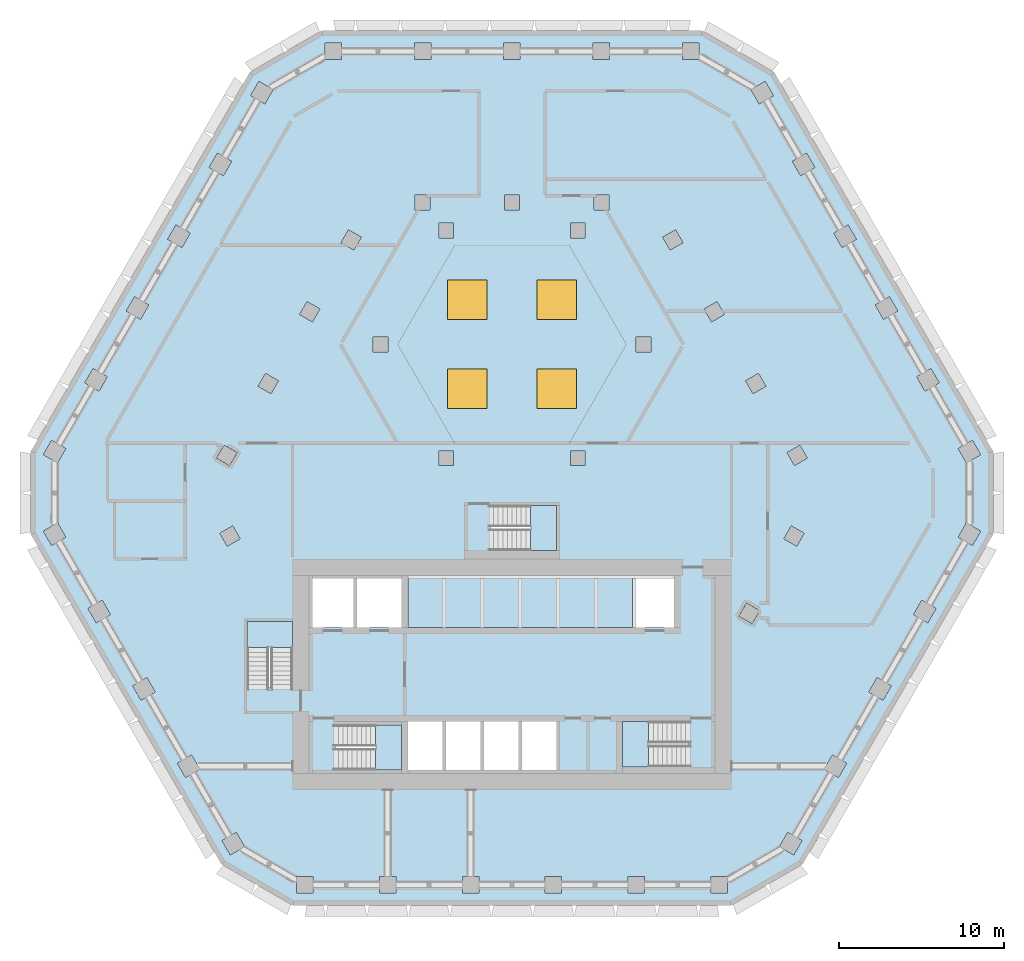
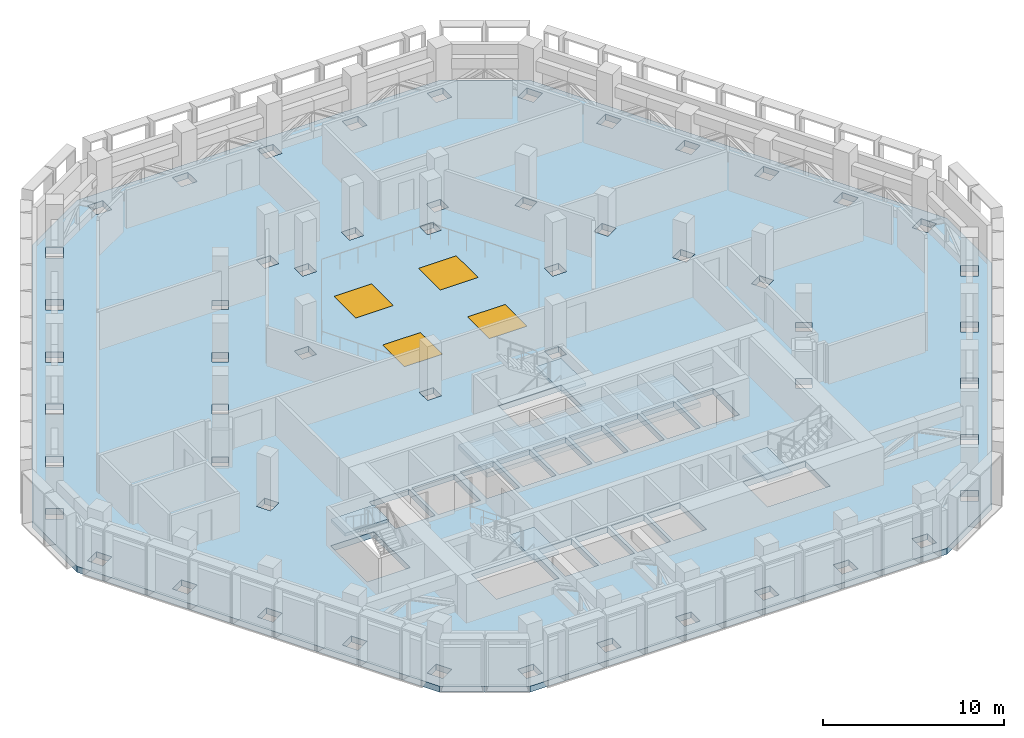
# One storey, part 11 of 23: 6 slabs, 4 windows, 4 openings, 4 elements without a shape of their own.
"""IFC4 building model written with IfcOpenShell, lengths in metres."""

from ifc_helpers import new_model, si_unit, direction, frame, origin, origin_2d, place, context, subcontext, project, spatial, polyline, rectangle, outline, extrude, material, layer, layer_set, type_object, element, fill, aggregate, save


model = new_model("IFC4")

# Units and contexts
model_context = context("Model", 3, precision=1e-05, world=origin(), true_north=direction((0.0, 1.0)))
body_context = subcontext(model_context, "Body", "Model", "MODEL_VIEW")
ifc_project = project(units=[si_unit("LENGTHUNIT", "METRE"), si_unit("AREAUNIT", "SQUARE_METRE"), si_unit("VOLUMEUNIT", "CUBIC_METRE"), si_unit("PLANEANGLEUNIT", "RADIAN"), si_unit("MASSUNIT", "GRAM", prefix="KILO")], contexts=[model_context])

# Site, building, storey
site_placement = place(None, origin())
site = spatial("IfcSite", under=ifc_project, at=site_placement, CompositionType="ELEMENT")
building_placement = place(site_placement, origin())
building = spatial("IfcBuilding", under=site, at=building_placement, Name="Beryl Residences", CompositionType="ELEMENT")
storey_placement = place(building_placement, frame((0.0, 0.0, 108.0)))
storey = spatial("IfcBuildingStorey", under=building, at=storey_placement, Name="L33", CompositionType="ELEMENT", Elevation=108.0)

# Slab
ifc_material_1 = material(Name="Concrete C40/50", Category="concrete")
ifc_layer_1 = layer(ifc_material_1, 0.300048828125)
ifc_layer_set_1 = layer_set([ifc_layer_1], Name="DK1 lift transfer deck 300 mm")
slab_type_1 = type_object("IfcSlabType", Name="DK1 lift transfer deck 300 mm", PredefinedType="FLOOR", material=ifc_layer_set_1)
slab_1_placement = place(storey_placement, frame((0.0, 0.0, 1.39990234375)))
element("IfcSlab", 1, at=slab_1_placement, inside=storey, type_object=slab_type_1, Name="Lift transfer deck", PredefinedType="FLOOR", context=body_context, shape_type="SweptSolid", body=[
    extrude(outline(polyline([(7.300048828125, -9.14990234375), (7.300048828125, -6.0), (-6.300048828125, -6.0), (-6.300048828125, -9.14990234375), (7.300048828125, -9.14990234375)])), origin(), (0.0, 0.0, 1.0), 0.300048828125),
])

# Slab, openings, windows
ifc_material_2 = material(Name="Concrete C40/50", Category="concrete")
ifc_layer_2 = layer(ifc_material_2, 0.39990234375)
ifc_layer_set_2 = layer_set([ifc_layer_2], Name="SL8 PT floor slab 400 mm C40/50")
slab_type_2 = type_object("IfcSlabType", Name="SL8 PT floor slab 400 mm C40/50", PredefinedType="FLOOR", material=ifc_layer_set_2)
slab_2_placement = place(storey_placement, frame((0.0, 0.0, -0.39990234375)))
slab_2 = element("IfcSlab", 2, at=slab_2_placement, inside=storey, type_object=slab_type_2, Name="L33 slab 1", PredefinedType="FLOOR", context=body_context, shape_type="SweptSolid", body=[
    extrude(outline(polyline([(29.156982421875, 1.5), (29.156982421875, -3.5), (17.60888671875, -23.5), (13.279052734375, -26.0), (-13.279052734375, -26.0), (-17.60888671875, -23.5), (-29.156982421875, -3.5), (-29.156982421875, 1.5), (-15.876953125, 24.5), (-11.547119140625, 27.0), (11.547119140625, 27.0), (15.876953125, 24.5), (29.156982421875, 1.5)]), holes=[polyline([(27.89697265625, -4.181884765625), (28.39697265625, -3.31591796875), (27.531005859375, -2.81591796875), (27.031005859375, -3.681884765625), (27.89697265625, -4.181884765625)]), polyline([(27.531005859375, 0.81591796875), (28.39697265625, 1.31591796875), (27.89697265625, 2.181884765625), (27.031005859375, 1.681884765625), (27.531005859375, 0.81591796875)]), polyline([(25.885009765625, 5.6669921875), (25.385009765625, 6.532958984375), (24.51904296875, 6.032958984375), (25.01904296875, 5.1669921875), (25.885009765625, 5.6669921875)]), polyline([(25.18994140625, -8.8701171875), (25.68994140625, -8.00390625), (24.823974609375, -7.50390625), (24.323974609375, -8.3701171875), (25.18994140625, -8.8701171875)]), polyline([(23.373046875, 10.01708984375), (22.873046875, 10.883056640625), (22.007080078125, 10.383056640625), (22.507080078125, 9.51708984375), (23.373046875, 10.01708984375)]), polyline([(22.98291015625, -12.69189453125), (22.116943359375, -12.19189453125), (21.616943359375, -13.05810546875), (22.48291015625, -13.55810546875), (22.98291015625, -12.69189453125)]), polyline([(20.862060546875, 14.366943359375), (20.362060546875, 15.23291015625), (19.49609375, 14.73291015625), (19.99609375, 13.866943359375), (20.862060546875, 14.366943359375)]), polyline([(18.910888671875, -17.74609375), (19.777099609375, -18.24609375), (20.277099609375, -17.3798828125), (19.410888671875, -16.8798828125), (18.910888671875, -17.74609375)]), polyline([(18.35009765625, 18.717041015625), (17.85009765625, 19.5830078125), (16.98388671875, 19.0830078125), (17.48388671875, 18.217041015625), (18.35009765625, 18.717041015625)]), polyline([(17.89306640625, 1.10888671875), (17.443115234375, 1.888916015625), (16.6630859375, 1.43896484375), (17.113037109375, 0.658935546875), (17.89306640625, 1.10888671875)]), polyline([(17.248046875, -4.22705078125), (17.697998046875, -3.447021484375), (16.91796875, -2.9970703125), (16.468017578125, -3.777099609375), (17.248046875, -4.22705078125)]), polyline([(17.070068359375, -22.93408203125), (17.570068359375, -22.068115234375), (16.7041015625, -21.568115234375), (16.2041015625, -22.43408203125), (17.070068359375, -22.93408203125)]), polyline([(14.972900390625, 22.56689453125), (15.839111328125, 23.06689453125), (15.339111328125, 23.93310546875), (14.472900390625, 23.43310546875), (14.972900390625, 22.56689453125)]), polyline([(15.381103515625, 5.4599609375), (14.930908203125, 6.239990234375), (14.15087890625, 5.7900390625), (14.60107421875, 5.010009765625), (15.381103515625, 5.4599609375)]), polyline([(14.541015625, -8.9150390625), (14.990966796875, -8.135009765625), (14.2109375, -7.68505859375), (13.760986328125, -8.465087890625), (14.541015625, -8.9150390625)]), polyline([(12.05810546875, -25.25), (13.05810546875, -25.25), (13.05810546875, -24.25), (12.05810546875, -24.25), (12.05810546875, -25.25)]), polyline([(12.8701171875, 9.81005859375), (12.419921875, 10.590087890625), (11.639892578125, 10.139892578125), (12.090087890625, 9.360107421875), (12.8701171875, 9.81005859375)]), polyline([(11.324951171875, 25.25), (11.324951171875, 26.25), (10.324951171875, 26.25), (10.324951171875, 25.25), (11.324951171875, 25.25)]), polyline([(10.699951171875, -17.60009765625), (10.699951171875, -14.85009765625), (6.699951171875, -14.85009765625), (6.699951171875, -17.60009765625), (10.699951171875, -17.60009765625)]), polyline([(9.907958984375, 14.93994140625), (9.1279296875, 14.489990234375), (9.577880859375, 13.7099609375), (10.35791015625, 14.159912109375), (9.907958984375, 14.93994140625)]), polyline([(9.800048828125, -9.14990234375), (9.800048828125, -6.199951171875), (7.5, -6.199951171875), (7.5, -9.14990234375), (9.800048828125, -9.14990234375)]), polyline([(7.51708984375, 7.550048828125), (8.4169921875, 7.550048828125), (8.4169921875, 8.449951171875), (7.51708984375, 8.449951171875), (7.51708984375, 7.550048828125)]), polyline([(7.034912109375, -25.25), (8.034912109375, -25.25), (8.034912109375, -24.25), (7.034912109375, -24.25), (7.034912109375, -25.25)]), polyline([(7.300048828125, -6.199951171875), (5.199951171875, -6.199951171875), (5.199951171875, -9.14990234375), (7.300048828125, -9.14990234375), (7.300048828125, -6.199951171875)]), polyline([(5.912109375, 26.25), (4.912109375, 26.25), (4.912109375, 25.25), (5.912109375, 25.25), (5.912109375, 26.25)]), polyline([(5.862060546875, 17.050048828125), (4.9619140625, 17.050048828125), (4.9619140625, 16.14990234375), (5.862060546875, 16.14990234375), (5.862060546875, 17.050048828125)]), polyline([(2.89990234375, -6.199951171875), (2.89990234375, -9.14990234375), (5.0, -9.14990234375), (5.0, -6.199951171875), (2.89990234375, -6.199951171875)]), polyline([(3.533935546875, 14.449951171875), (4.43408203125, 14.449951171875), (4.43408203125, 15.35009765625), (3.533935546875, 15.35009765625), (3.533935546875, 14.449951171875)]), polyline([(3.533935546875, 0.64990234375), (4.43408203125, 0.64990234375), (4.43408203125, 1.550048828125), (3.533935546875, 1.550048828125), (3.533935546875, 0.64990234375)]), polyline([(2.011962890625, -24.25), (2.011962890625, -25.25), (3.011962890625, -25.25), (3.011962890625, -24.25), (2.011962890625, -24.25)]), polyline([(2.699951171875, -1.75), (-1.300048828125, -1.75), (-1.300048828125, -4.5), (2.699951171875, -4.5), (2.699951171875, -1.75)]), polyline([(2.699951171875, -6.199951171875), (0.60009765625, -6.199951171875), (0.60009765625, -9.14990234375), (2.699951171875, -9.14990234375), (2.699951171875, -6.199951171875)]), polyline([(0.60009765625, -14.85009765625), (0.60009765625, -17.800048828125), (2.699951171875, -17.800048828125), (2.699951171875, -14.85009765625), (0.60009765625, -14.85009765625)]), polyline([(-0.5009765625, 26.25), (-0.5009765625, 25.25), (0.4990234375, 25.25), (0.4990234375, 26.25), (-0.5009765625, 26.25)]), polyline([(0.448974609375, 17.050048828125), (-0.450927734375, 17.050048828125), (-0.450927734375, 16.14990234375), (0.448974609375, 16.14990234375), (0.448974609375, 17.050048828125)]), polyline([(-1.699951171875, -6.199951171875), (-1.699951171875, -9.14990234375), (0.39990234375, -9.14990234375), (0.39990234375, -6.199951171875), (-1.699951171875, -6.199951171875)]), polyline([(-1.699951171875, -14.85009765625), (-1.699951171875, -17.800048828125), (0.39990234375, -17.800048828125), (0.39990234375, -14.85009765625), (-1.699951171875, -14.85009765625)]), polyline([(-4.0, -6.199951171875), (-4.0, -9.14990234375), (-1.89990234375, -9.14990234375), (-1.89990234375, -6.199951171875), (-4.0, -6.199951171875)]), polyline([(-4.0, -14.85009765625), (-4.0, -17.800048828125), (-1.89990234375, -17.800048828125), (-1.89990234375, -14.85009765625), (-4.0, -14.85009765625)]), polyline([(-3.010986328125, -25.25), (-2.010986328125, -25.25), (-2.010986328125, -24.25), (-3.010986328125, -24.25), (-3.010986328125, -25.25)]), polyline([(-4.43408203125, 14.449951171875), (-3.533935546875, 14.449951171875), (-3.533935546875, 15.35009765625), (-4.43408203125, 15.35009765625), (-4.43408203125, 14.449951171875)]), polyline([(-4.43408203125, 0.64990234375), (-3.533935546875, 0.64990234375), (-3.533935546875, 1.550048828125), (-4.43408203125, 1.550048828125), (-4.43408203125, 0.64990234375)]), polyline([(-6.300048828125, -6.199951171875), (-6.300048828125, -9.14990234375), (-4.199951171875, -9.14990234375), (-4.199951171875, -6.199951171875), (-6.300048828125, -6.199951171875)]), polyline([(-6.300048828125, -14.85009765625), (-6.300048828125, -17.800048828125), (-4.199951171875, -17.800048828125), (-4.199951171875, -14.85009765625), (-6.300048828125, -14.85009765625)]), polyline([(-4.9140625, 26.25), (-5.9140625, 26.25), (-5.9140625, 25.25), (-4.9140625, 25.25), (-4.9140625, 26.25)]), polyline([(-5.864013671875, 17.050048828125), (-5.864013671875, 16.14990234375), (-4.964111328125, 16.14990234375), (-4.964111328125, 17.050048828125), (-5.864013671875, 17.050048828125)]), polyline([(-10.699951171875, -17.800048828125), (-6.699951171875, -17.800048828125), (-6.699951171875, -15.050048828125), (-10.699951171875, -15.050048828125), (-10.699951171875, -17.800048828125)]), polyline([(-9.39990234375, -6.199951171875), (-9.39990234375, -9.14990234375), (-6.699951171875, -9.14990234375), (-6.699951171875, -6.199951171875), (-9.39990234375, -6.199951171875)]), polyline([(-8.033935546875, -25.25), (-7.033935546875, -25.25), (-7.033935546875, -24.25), (-8.033935546875, -24.25), (-8.033935546875, -25.25)]), polyline([(-8.4169921875, 8.449951171875), (-8.4169921875, 7.550048828125), (-7.51708984375, 7.550048828125), (-7.51708984375, 8.449951171875), (-8.4169921875, 8.449951171875)]), polyline([(-10.35791015625, 14.159912109375), (-9.577880859375, 13.7099609375), (-9.1279296875, 14.489990234375), (-9.907958984375, 14.93994140625), (-10.35791015625, 14.159912109375)]), polyline([(-12.10009765625, -6.199951171875), (-12.10009765625, -9.14990234375), (-9.60009765625, -9.14990234375), (-9.60009765625, -6.199951171875), (-12.10009765625, -6.199951171875)]), polyline([(-10.326904296875, 26.25), (-11.326904296875, 26.25), (-11.326904296875, 25.25), (-10.326904296875, 25.25), (-10.326904296875, 26.25)]), polyline([(-12.4189453125, 10.590087890625), (-12.868896484375, 9.81005859375), (-12.089111328125, 9.360107421875), (-11.638916015625, 10.139892578125), (-12.4189453125, 10.590087890625)]), polyline([(-12.056884765625, -25.25), (-12.056884765625, -24.25), (-13.056884765625, -24.25), (-13.056884765625, -25.25), (-12.056884765625, -25.25)]), polyline([(-13.300048828125, -12.800048828125), (-13.300048828125, -8.800048828125), (-16.050048828125, -8.800048828125), (-16.050048828125, -12.800048828125), (-13.300048828125, -12.800048828125)]), polyline([(-14.930908203125, 6.239990234375), (-15.381103515625, 5.4599609375), (-14.60107421875, 5.010009765625), (-14.15087890625, 5.7900390625), (-14.930908203125, 6.239990234375)]), polyline([(-15.837890625, 23.068115234375), (-14.971923828125, 22.568115234375), (-14.471923828125, 23.43408203125), (-15.337890625, 23.93408203125), (-15.837890625, 23.068115234375)]), polyline([(-17.570068359375, -22.068115234375), (-17.070068359375, -22.93408203125), (-16.2041015625, -22.43408203125), (-16.7041015625, -21.568115234375), (-17.570068359375, -22.068115234375)]), polyline([(-17.697998046875, -3.447021484375), (-17.248046875, -4.22705078125), (-16.468017578125, -3.777099609375), (-16.91796875, -2.9970703125), (-17.697998046875, -3.447021484375)]), polyline([(-17.44189453125, 1.889892578125), (-17.89208984375, 1.110107421875), (-17.112060546875, 0.659912109375), (-16.662109375, 1.43994140625), (-17.44189453125, 1.889892578125)]), polyline([(-17.85009765625, 19.5830078125), (-18.35009765625, 18.717041015625), (-17.48388671875, 18.217041015625), (-16.98388671875, 19.0830078125), (-17.85009765625, 19.5830078125)]), polyline([(-20.277099609375, -17.3798828125), (-19.777099609375, -18.24609375), (-18.910888671875, -17.74609375), (-19.410888671875, -16.8798828125), (-20.277099609375, -17.3798828125)]), polyline([(-20.361083984375, 15.23291015625), (-20.861083984375, 14.366943359375), (-19.9951171875, 13.866943359375), (-19.4951171875, 14.73291015625), (-20.361083984375, 15.23291015625)]), polyline([(-22.48291015625, -13.55810546875), (-21.616943359375, -13.05810546875), (-22.116943359375, -12.19189453125), (-22.98291015625, -12.69189453125), (-22.48291015625, -13.55810546875)]), polyline([(-22.873046875, 10.883056640625), (-23.373046875, 10.01708984375), (-22.507080078125, 9.51708984375), (-22.007080078125, 10.383056640625), (-22.873046875, 10.883056640625)]), polyline([(-25.68994140625, -8.00390625), (-25.18994140625, -8.8701171875), (-24.323974609375, -8.3701171875), (-24.823974609375, -7.50390625), (-25.68994140625, -8.00390625)]), polyline([(-24.51904296875, 6.032958984375), (-25.385009765625, 6.532958984375), (-25.885009765625, 5.6669921875), (-25.01904296875, 5.1669921875), (-24.51904296875, 6.032958984375)]), polyline([(-27.89599609375, 2.18310546875), (-28.39599609375, 1.31689453125), (-27.530029296875, 0.81689453125), (-27.030029296875, 1.68310546875), (-27.89599609375, 2.18310546875)]), polyline([(-27.89697265625, -4.181884765625), (-27.031005859375, -3.681884765625), (-27.531005859375, -2.81591796875), (-28.39697265625, -3.31591796875), (-27.89697265625, -4.181884765625)])]), origin(), (0.0, 0.0, 1.0), 0.39990234375),
])
opening_1_placement = place(slab_2_placement, frame((-2.699951171875, 5.300048828125, 0.0)))
opening_1 = element("IfcOpeningElement", 3, at=opening_1_placement, cuts=slab_2, Name="Opening SK1", PredefinedType="OPENING", context=body_context, shape_type="SweptSolid", body=[
    extrude(rectangle(XDim=2.39990234375, YDim=2.39990234375, at=origin_2d()), origin(), (0.0, 0.0, 1.0), 0.39990234375),
])
opening_2_placement = place(slab_2_placement, frame((-2.699951171875, 10.699951171875, 0.0)))
opening_2 = element("IfcOpeningElement", 4, at=opening_2_placement, cuts=slab_2, Name="Opening SK1", PredefinedType="OPENING", context=body_context, shape_type="SweptSolid", body=[
    extrude(rectangle(XDim=2.39990234375, YDim=2.39990234375, at=origin_2d()), origin(), (0.0, 0.0, 1.0), 0.39990234375),
])
opening_3_placement = place(slab_2_placement, frame((2.699951171875, 5.300048828125, 0.0)))
opening_3 = element("IfcOpeningElement", 5, at=opening_3_placement, cuts=slab_2, Name="Opening SK1", PredefinedType="OPENING", context=body_context, shape_type="SweptSolid", body=[
    extrude(rectangle(XDim=2.39990234375, YDim=2.39990234375, at=origin_2d()), origin(), (0.0, 0.0, 1.0), 0.39990234375),
])
opening_4_placement = place(slab_2_placement, frame((2.699951171875, 10.699951171875, 0.0)))
opening_4 = element("IfcOpeningElement", 6, at=opening_4_placement, cuts=slab_2, Name="Opening SK1", PredefinedType="OPENING", context=body_context, shape_type="SweptSolid", body=[
    extrude(rectangle(XDim=2.39990234375, YDim=2.39990234375, at=origin_2d()), origin(), (0.0, 0.0, 1.0), 0.39990234375),
])
ifc_material_3 = material(Name="Fire-resisting laminated glass in aluminium frame", Category="aluminium")
window_type = type_object("IfcWindowType", Name="SK1 atrium rooflight 2400 x 2400 mm", PartitioningType="SINGLE_PANEL", PredefinedType="SKYLIGHT", material=ifc_material_3)
window_1_placement = place(opening_1_placement, frame((0.0, 0.0, 0.349853515625)))
window_1 = element("IfcWindow", 7, at=window_1_placement, inside=storey, type_object=window_type, Name="SK1 atrium rooflight L33 1", OverallHeight=2.39990234375, OverallWidth=2.39990234375, PartitioningType="SINGLE_PANEL", PredefinedType="SKYLIGHT", context=body_context, shape_type="SweptSolid", body=[
    extrude(rectangle(XDim=2.39990234375, YDim=2.39990234375, at=origin_2d()), origin(), (0.0, 0.0, 1.0), 0.050048828125),
])
fill(opening_1, window_1)
window_2_placement = place(opening_2_placement, frame((0.0, 0.0, 0.349853515625)))
window_2 = element("IfcWindow", 8, at=window_2_placement, inside=storey, type_object=window_type, Name="SK1 atrium rooflight L33 2", OverallHeight=2.39990234375, OverallWidth=2.39990234375, PartitioningType="SINGLE_PANEL", PredefinedType="SKYLIGHT", context=body_context, shape_type="SweptSolid", body=[
    extrude(rectangle(XDim=2.39990234375, YDim=2.39990234375, at=origin_2d()), origin(), (0.0, 0.0, 1.0), 0.050048828125),
])
fill(opening_2, window_2)
window_3_placement = place(opening_3_placement, frame((0.0, 0.0, 0.349853515625)))
window_3 = element("IfcWindow", 9, at=window_3_placement, inside=storey, type_object=window_type, Name="SK1 atrium rooflight L33 3", OverallHeight=2.39990234375, OverallWidth=2.39990234375, PartitioningType="SINGLE_PANEL", PredefinedType="SKYLIGHT", context=body_context, shape_type="SweptSolid", body=[
    extrude(rectangle(XDim=2.39990234375, YDim=2.39990234375, at=origin_2d()), origin(), (0.0, 0.0, 1.0), 0.050048828125),
])
fill(opening_3, window_3)
window_4_placement = place(opening_4_placement, frame((0.0, 0.0, 0.349853515625)))
window_4 = element("IfcWindow", 10, at=window_4_placement, inside=storey, type_object=window_type, Name="SK1 atrium rooflight L33 4", OverallHeight=2.39990234375, OverallWidth=2.39990234375, PartitioningType="SINGLE_PANEL", PredefinedType="SKYLIGHT", context=body_context, shape_type="SweptSolid", body=[
    extrude(rectangle(XDim=2.39990234375, YDim=2.39990234375, at=origin_2d()), origin(), (0.0, 0.0, 1.0), 0.050048828125),
])
fill(opening_4, window_4)

# Stair, slab
ifc_material_4 = material(Name="Concrete C40/50", Category="concrete")
stair_type = type_object("IfcStairType", Name="ST1 protected exit stair, half-turn, 1300 mm flights", PredefinedType="HALF_TURN_STAIR", material=ifc_material_4)
stair_1_placement = place(storey_placement, origin())
stair_1 = element("IfcStair", 11, at=stair_1_placement, inside=storey, type_object=stair_type, Name="L33 PROTECTED EXIT STAIR ST-1", PredefinedType="HALF_TURN_STAIR")
ifc_material_5 = material(Name="Concrete C40/50", Category="concrete")
ifc_layer_3 = layer(ifc_material_5, 0.199951171875)
ifc_layer_set_3 = layer_set([ifc_layer_3], Name="SLD1 stair landing 200 mm")
slab_type_3 = type_object("IfcSlabType", Name="SLD1 stair landing 200 mm", PredefinedType="LANDING", material=ifc_layer_set_3)
slab_3_placement = place(storey_placement, frame((0.0, 0.0, 1.60009765625)))
slab_3 = element("IfcSlab", 12, at=slab_3_placement, type_object=slab_type_3, Name="ST-1 landing 1", PredefinedType="LANDING", context=body_context, shape_type="SweptSolid", body=[
    extrude(outline(polyline([(-8.280029296875, -17.800048828125), (-6.699951171875, -17.800048828125), (-6.699951171875, -15.050048828125), (-8.280029296875, -15.050048828125), (-8.280029296875, -17.800048828125)])), origin(), (0.0, 0.0, 1.0), 0.199951171875),
])
aggregate(stair_1, [slab_3])

stair_2_placement = place(storey_placement, origin())
stair_2 = element("IfcStair", 13, at=stair_2_placement, inside=storey, type_object=stair_type, Name="L33 PROTECTED EXIT STAIR ST-2", PredefinedType="HALF_TURN_STAIR")
slab_4_placement = place(storey_placement, frame((0.0, 0.0, 1.60009765625)))
slab_4 = element("IfcSlab", 14, at=slab_4_placement, type_object=slab_type_3, Name="ST-2 landing 1", PredefinedType="LANDING", context=body_context, shape_type="SweptSolid", body=[
    extrude(outline(polyline([(-13.300048828125, -10.3798828125), (-13.300048828125, -8.800048828125), (-16.050048828125, -8.800048828125), (-16.050048828125, -10.3798828125), (-13.300048828125, -10.3798828125)])), origin(), (0.0, 0.0, 1.0), 0.199951171875),
])
aggregate(stair_2, [slab_4])

stair_3_placement = place(storey_placement, origin())
stair_3 = element("IfcStair", 15, at=stair_3_placement, inside=storey, type_object=stair_type, Name="L33 PROTECTED EXIT STAIR ST-3", PredefinedType="HALF_TURN_STAIR")
slab_5_placement = place(storey_placement, frame((0.0, 0.0, 1.60009765625)))
slab_5 = element("IfcSlab", 16, at=slab_5_placement, type_object=slab_type_3, Name="ST-3 landing 1", PredefinedType="LANDING", context=body_context, shape_type="SweptSolid", body=[
    extrude(outline(polyline([(8.280029296875, -14.85009765625), (6.699951171875, -14.85009765625), (6.699951171875, -17.60009765625), (8.280029296875, -17.60009765625), (8.280029296875, -14.85009765625)])), origin(), (0.0, 0.0, 1.0), 0.199951171875),
])
aggregate(stair_3, [slab_5])

stair_4_placement = place(storey_placement, origin())
stair_4 = element("IfcStair", 17, at=stair_4_placement, inside=storey, type_object=stair_type, Name="L33 PROTECTED EXIT STAIR ST-4", PredefinedType="HALF_TURN_STAIR")
slab_6_placement = place(storey_placement, frame((0.0, 0.0, 1.60009765625)))
slab_6 = element("IfcSlab", 18, at=slab_6_placement, type_object=slab_type_3, Name="ST-4 landing 1", PredefinedType="LANDING", context=body_context, shape_type="SweptSolid", body=[
    extrude(outline(polyline([(1.1201171875, -4.5), (2.699951171875, -4.5), (2.699951171875, -1.75), (1.1201171875, -1.75), (1.1201171875, -4.5)])), origin(), (0.0, 0.0, 1.0), 0.199951171875),
])
aggregate(stair_4, [slab_6])

save(model, "model.ifc")
